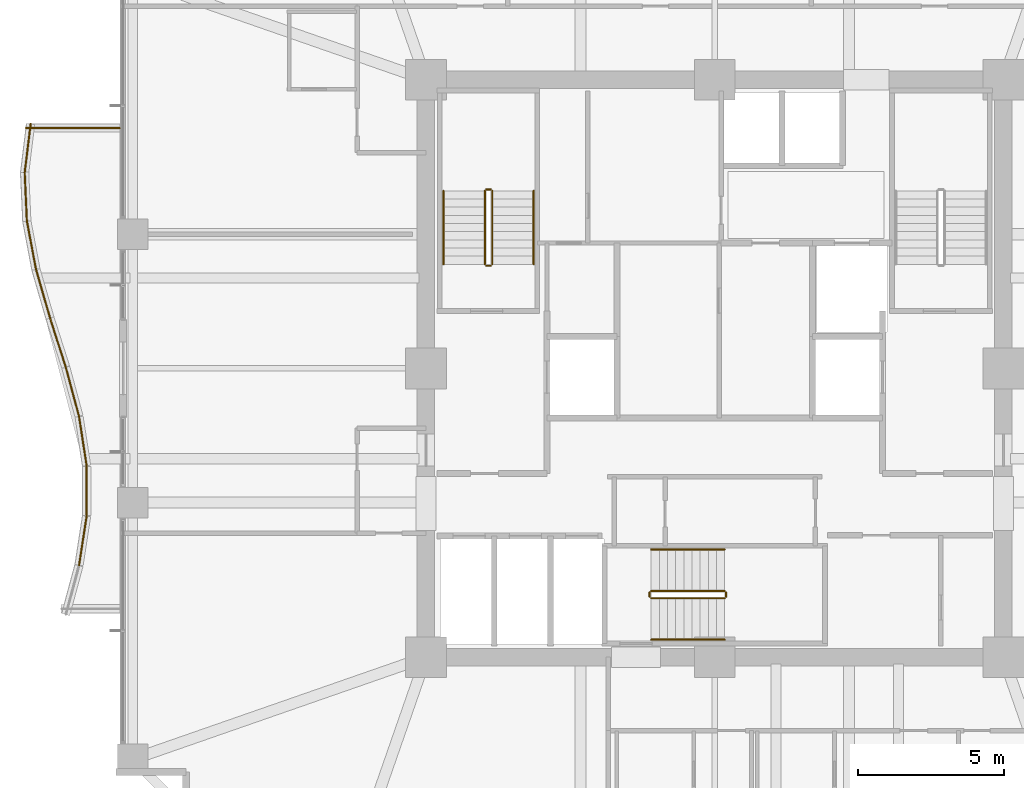
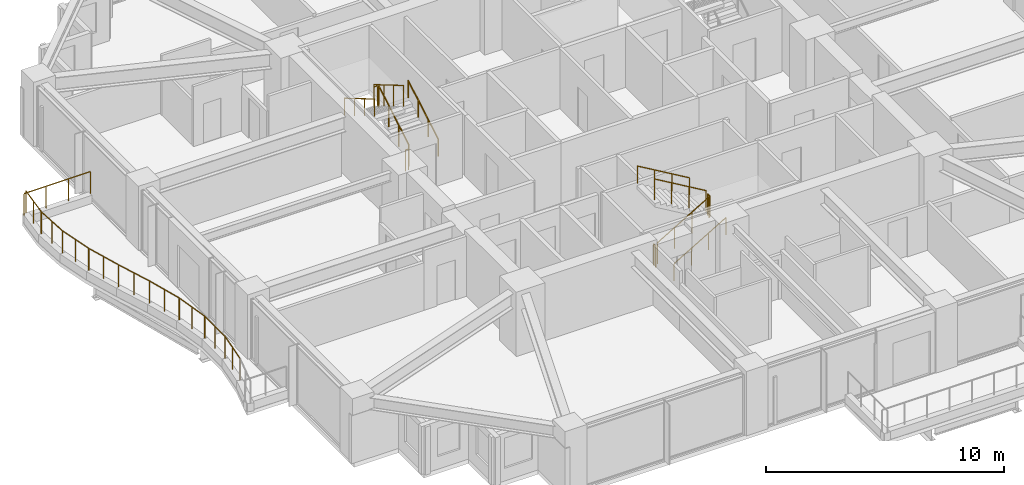
# One storey, part 37 of 38: 22 railings.
"""IFC4 building model written with IfcOpenShell, lengths in metres."""

from ifc_helpers import new_model, si_unit, direction, frame, origin, origin_2d, place, context, subcontext, project, spatial, circle, extrude, material, type_object, element, save


model = new_model("IFC4")

# Units and contexts
model_context = context("Model", 3, precision=1e-05, world=origin(), true_north=direction((0.0, 1.0)))
body_context = subcontext(model_context, "Body", "Model", "MODEL_VIEW")
ifc_project = project(units=[si_unit("LENGTHUNIT", "METRE"), si_unit("AREAUNIT", "SQUARE_METRE"), si_unit("VOLUMEUNIT", "CUBIC_METRE"), si_unit("PLANEANGLEUNIT", "RADIAN"), si_unit("MASSUNIT", "GRAM", prefix="KILO")], contexts=[model_context])

# Site, building, storey
site_placement = place(None, origin())
site = spatial("IfcSite", under=ifc_project, at=site_placement, CompositionType="ELEMENT")
building_placement = place(site_placement, origin())
building = spatial("IfcBuilding", under=site, at=building_placement, Name="Kolvaren Belvedere", CompositionType="ELEMENT")
storey_placement = place(building_placement, frame((0.0, 0.0, 101.89990234375)))
storey = spatial("IfcBuildingStorey", under=building, at=storey_placement, Name="L29", CompositionType="ELEMENT", Elevation=101.89990234375)

# Railings
ifc_material_1 = material(Name="Anodised pale-metal aluminium & laminated glass guard", Category="aluminium")
railing_type_1 = type_object("IfcRailingType", Name="RL-GUARD-1150", PredefinedType="GUARDRAIL", material=ifc_material_1)
railing_1_placement = place(storey_placement, frame((-23.454833984375, 8.380615234375, 0.380126953125)))
element("IfcRailing", 1, at=railing_1_placement, inside=storey, type_object=railing_type_1, Name="L29 Exterior Deck Safety Guard BAL-W-1", PredefinedType="GUARDRAIL", context=body_context, shape_type="SweptSolid", body=[
    extrude(circle(Radius=0.02392578125, at=origin_2d()), frame((0.0, 0.0, 1.1259765625), z_axis=(-0.121868867697, -0.992546210051, 0.0), x_axis=(0.992546210051, -0.121868867697, 0.0)), (0.0, 0.0, 1.0), 1.69287109375),
    extrude(circle(Radius=0.02099609375, at=origin_2d()), origin(), (0.0, 0.0, 1.0), 1.101806640625),
    extrude(circle(Radius=0.02099609375, at=origin_2d()), frame((-0.10302734375, -0.840087890625, 0.0)), (0.0, 0.0, 1.0), 1.101806640625),
    extrude(circle(Radius=0.02099609375, at=origin_2d()), frame((-0.206298828125, -1.68017578125, 0.0)), (0.0, 0.0, 1.0), 1.101806640625),
])
railing_2_placement = place(storey_placement, frame((-23.66015625, 6.727294921875, 0.380126953125)))
element("IfcRailing", 2, at=railing_2_placement, inside=storey, type_object=railing_type_1, Name="L29 Exterior Deck Safety Guard BAL-W-2", PredefinedType="GUARDRAIL", context=body_context, shape_type="SweptSolid", body=[
    extrude(circle(Radius=0.02392578125, at=origin_2d()), frame((0.0, 0.0, 1.1259765625), z_axis=(0.044999415011, -0.998987013253, 0.0), x_axis=(0.998987013253, 0.044999415011, 0.0)), (0.0, 0.0, 1.0), 1.681884765625),
    extrude(circle(Radius=0.02099609375, at=origin_2d()), origin(), (0.0, 0.0, 1.0), 1.101806640625),
    extrude(circle(Radius=0.02099609375, at=origin_2d()), frame((0.037841796875, -0.840087890625, 0.0)), (0.0, 0.0, 1.0), 1.101806640625),
    extrude(circle(Radius=0.02099609375, at=origin_2d()), frame((0.07568359375, -1.68017578125, 0.0)), (0.0, 0.0, 1.0), 1.101806640625),
])
railing_3_placement = place(storey_placement, frame((-23.5869140625, 5.069580078125, 0.380126953125)))
element("IfcRailing", 3, at=railing_3_placement, inside=storey, type_object=railing_type_1, Name="L29 Exterior Deck Safety Guard BAL-W-3", PredefinedType="GUARDRAIL", context=body_context, shape_type="SweptSolid", body=[
    extrude(circle(Radius=0.02392578125, at=origin_2d()), frame((0.0, 0.0, 1.1259765625), z_axis=(0.18467658162, -0.982799348901, 0.0), x_axis=(0.982799348901, 0.18467658162, 0.0)), (0.0, 0.0, 1.0), 1.709228515625),
    extrude(circle(Radius=0.02099609375, at=origin_2d()), origin(), (0.0, 0.0, 1.0), 1.101806640625),
    extrude(circle(Radius=0.02099609375, at=origin_2d()), frame((0.15771484375, -0.83984375, 0.0)), (0.0, 0.0, 1.0), 1.101806640625),
    extrude(circle(Radius=0.02099609375, at=origin_2d()), frame((0.315673828125, -1.679931640625, 0.0)), (0.0, 0.0, 1.0), 1.101806640625),
])
railing_4_placement = place(storey_placement, frame((-23.274658203125, 3.404541015625, 0.380126953125)))
element("IfcRailing", 4, at=railing_4_placement, inside=storey, type_object=railing_type_1, Name="L29 Exterior Deck Safety Guard BAL-W-4", PredefinedType="GUARDRAIL", context=body_context, shape_type="SweptSolid", body=[
    extrude(circle(Radius=0.02392578125, at=origin_2d()), frame((0.0, 0.0, 1.1259765625), z_axis=(0.277817391164, -0.960633903819, 0.0), x_axis=(0.960633903819, 0.277817391164, 0.0)), (0.0, 0.0, 1.0), 1.748779296875),
    extrude(circle(Radius=0.02099609375, at=origin_2d()), origin(), (0.0, 0.0, 1.0), 1.101806640625),
    extrude(circle(Radius=0.02099609375, at=origin_2d()), frame((0.242919921875, -0.83984375, 0.0)), (0.0, 0.0, 1.0), 1.101806640625),
    extrude(circle(Radius=0.02099609375, at=origin_2d()), frame((0.48583984375, -1.679931640625, 0.0)), (0.0, 0.0, 1.0), 1.101806640625),
])
railing_5_placement = place(storey_placement, frame((-22.7900390625, 1.728515625, 0.380126953125)))
element("IfcRailing", 5, at=railing_5_placement, inside=storey, type_object=railing_type_1, Name="L29 Exterior Deck Safety Guard BAL-W-5", PredefinedType="GUARDRAIL", context=body_context, shape_type="SweptSolid", body=[
    extrude(circle(Radius=0.02392578125, at=origin_2d()), frame((0.0, 0.0, 1.1259765625), z_axis=(0.304032153573, -0.952661770826, 0.0), x_axis=(0.952661770826, 0.304032153573, 0.0)), (0.0, 0.0, 1.0), 1.763427734375),
    extrude(circle(Radius=0.02099609375, at=origin_2d()), origin(), (0.0, 0.0, 1.0), 1.101806640625),
    extrude(circle(Radius=0.02099609375, at=origin_2d()), frame((0.26806640625, -0.83984375, 0.0)), (0.0, 0.0, 1.0), 1.101806640625),
    extrude(circle(Radius=0.02099609375, at=origin_2d()), frame((0.5361328125, -1.679931640625, 0.0)), (0.0, 0.0, 1.0), 1.101806640625),
])
railing_6_placement = place(storey_placement, frame((-22.251708984375, 0.041748046875, 0.380126953125)))
element("IfcRailing", 6, at=railing_6_placement, inside=storey, type_object=railing_type_1, Name="L29 Exterior Deck Safety Guard BAL-W-6", PredefinedType="GUARDRAIL", context=body_context, shape_type="SweptSolid", body=[
    extrude(circle(Radius=0.02392578125, at=origin_2d()), frame((0.0, 0.0, 1.1259765625), z_axis=(0.260682852326, -0.965424492388, 0.0), x_axis=(0.965424492388, 0.260682852326, 0.0)), (0.0, 0.0, 1.0), 1.739990234375),
    extrude(circle(Radius=0.02099609375, at=origin_2d()), origin(), (0.0, 0.0, 1.0), 1.101806640625),
    extrude(circle(Radius=0.02099609375, at=origin_2d()), frame((0.226806640625, -0.83984375, 0.0)), (0.0, 0.0, 1.0), 1.101806640625),
    extrude(circle(Radius=0.02099609375, at=origin_2d()), frame((0.45361328125, -1.679931640625, 0.0)), (0.0, 0.0, 1.0), 1.101806640625),
])
railing_7_placement = place(storey_placement, frame((-21.794677734375, -1.655517578125, 0.380126953125)))
element("IfcRailing", 7, at=railing_7_placement, inside=storey, type_object=railing_type_1, Name="L29 Exterior Deck Safety Guard BAL-W-7", PredefinedType="GUARDRAIL", context=body_context, shape_type="SweptSolid", body=[
    extrude(circle(Radius=0.02392578125, at=origin_2d()), frame((0.0, 0.0, 1.1259765625), z_axis=(0.152229849666, -0.988345118302, 0.0), x_axis=(0.988345118302, 0.152229849666, 0.0)), (0.0, 0.0, 1.0), 1.699951171875),
    extrude(circle(Radius=0.02099609375, at=origin_2d()), origin(), (0.0, 0.0, 1.0), 1.101806640625),
    extrude(circle(Radius=0.02099609375, at=origin_2d()), frame((0.12939453125, -0.840087890625, 0.0)), (0.0, 0.0, 1.0), 1.101806640625),
    extrude(circle(Radius=0.02099609375, at=origin_2d()), frame((0.2587890625, -1.68017578125, 0.0)), (0.0, 0.0, 1.0), 1.101806640625),
])
railing_8_placement = place(storey_placement, frame((-21.533935546875, -3.360107421875, 0.380126953125)))
element("IfcRailing", 8, at=railing_8_placement, inside=storey, type_object=railing_type_1, Name="L29 Exterior Deck Safety Guard BAL-W-8", PredefinedType="GUARDRAIL", context=body_context, shape_type="SweptSolid", body=[
    extrude(circle(Radius=0.02392578125, at=origin_2d()), frame((0.0, 0.0, 1.1259765625), z_axis=(0.0, -1.0, 0.0), x_axis=(1.0, 0.0, 0.0)), (0.0, 0.0, 1.0), 1.679931640625),
    extrude(circle(Radius=0.02099609375, at=origin_2d()), origin(), (0.0, 0.0, 1.0), 1.101806640625),
    extrude(circle(Radius=0.02099609375, at=origin_2d()), frame((0.0, -0.83984375, 0.0)), (0.0, 0.0, 1.0), 1.101806640625),
    extrude(circle(Radius=0.02099609375, at=origin_2d()), frame((0.0, -1.679931640625, 0.0)), (0.0, 0.0, 1.0), 1.101806640625),
])
railing_9_placement = place(storey_placement, frame((-21.535888671875, -5.064453125, 0.380126953125)))
element("IfcRailing", 9, at=railing_9_placement, inside=storey, type_object=railing_type_1, Name="L29 Exterior Deck Safety Guard BAL-W-9", PredefinedType="GUARDRAIL", context=body_context, shape_type="SweptSolid", body=[
    extrude(circle(Radius=0.02392578125, at=origin_2d()), frame((0.0, 0.0, 1.1259765625), z_axis=(-0.152251460091, -0.988341789514, 0.0), x_axis=(0.988341789514, -0.152251460091, 0.0)), (0.0, 0.0, 1.0), 1.69970703125),
    extrude(circle(Radius=0.02099609375, at=origin_2d()), origin(), (0.0, 0.0, 1.0), 1.101806640625),
    extrude(circle(Radius=0.02099609375, at=origin_2d()), frame((-0.12939453125, -0.83984375, 0.0)), (0.0, 0.0, 1.0), 1.101806640625),
    extrude(circle(Radius=0.02099609375, at=origin_2d()), frame((-0.2587890625, -1.679931640625, 0.0)), (0.0, 0.0, 1.0), 1.101806640625),
])
railing_10_placement = place(storey_placement, frame((-20.39990234375, 8.239990234375, 0.380126953125)))
element("IfcRailing", 10, at=railing_10_placement, inside=storey, type_object=railing_type_1, Name="L29 Exterior Deck Safety Guard BAL-W-22", PredefinedType="GUARDRAIL", context=body_context, shape_type="SweptSolid", body=[
    extrude(circle(Radius=0.02392578125, at=origin_2d()), frame((0.0, 0.0, 1.1259765625), z_axis=(-1.0, 0.0, 0.0), x_axis=(0.0, -1.0, 0.0)), (0.0, 0.0, 1.0), 3.2138671875),
    extrude(circle(Radius=0.02099609375, at=origin_2d()), origin(), (0.0, 0.0, 1.0), 1.101806640625),
    extrude(circle(Radius=0.02099609375, at=origin_2d()), frame((-1.0712890625, 0.0, 0.0)), (0.0, 0.0, 1.0), 1.101806640625),
    extrude(circle(Radius=0.02099609375, at=origin_2d()), frame((-2.142578125, 0.0, 0.0)), (0.0, 0.0, 1.0), 1.101806640625),
    extrude(circle(Radius=0.02099609375, at=origin_2d()), frame((-3.2138671875, 0.0, 0.0)), (0.0, 0.0, 1.0), 1.101806640625),
])
ifc_material_2 = material(Name="Brushed stainless-steel handrail", Category="steel")
railing_type_2 = type_object("IfcRailingType", Name="RL-HANDRAIL-920", PredefinedType="HANDRAIL", material=ifc_material_2)
railing_11_placement = place(storey_placement, frame((-6.2099609375, 3.570068359375, 0.1650390625)))
element("IfcRailing", 11, at=railing_11_placement, inside=storey, type_object=railing_type_2, Name="L29 ST-1 stair handrail 1", PredefinedType="HANDRAIL", context=body_context, shape_type="SweptSolid", body=[
    extrude(circle(Radius=0.02392578125, at=origin_2d()), frame((0.0, 0.0, 0.8759765625), z_axis=(0.0, 0.86152411907, 0.507716645641), x_axis=(-1.0, 0.0, 0.0)), (0.0, 0.0, 1.0), 2.925048828125),
    extrude(circle(Radius=0.02099609375, at=origin_2d()), origin(), (0.0, 0.0, 1.0), 0.851806640625),
    extrude(circle(Radius=0.02099609375, at=origin_2d()), frame((0.0, 0.840087890625, 0.4951171875)), (0.0, 0.0, 1.0), 0.851806640625),
    extrude(circle(Radius=0.02099609375, at=origin_2d()), frame((0.0, 1.679931640625, 0.989990234375)), (0.0, 0.0, 1.0), 0.851806640625),
    extrude(circle(Radius=0.02099609375, at=origin_2d()), frame((0.0, 2.52001953125, 1.485107421875)), (0.0, 0.0, 1.0), 0.851806640625),
])
railing_12_placement = place(storey_placement, frame((-9.300048828125, 6.090087890625, 1.815185546875)))
element("IfcRailing", 12, at=railing_12_placement, inside=storey, type_object=railing_type_2, Name="L29 ST-1 stair handrail 2", PredefinedType="HANDRAIL", context=body_context, shape_type="SweptSolid", body=[
    extrude(circle(Radius=0.02392578125, at=origin_2d()), frame((0.0, 0.0, 0.8759765625), z_axis=(0.0, -0.861560626758, 0.507654692109), x_axis=(1.0, 0.0, 0.0)), (0.0, 0.0, 1.0), 2.925048828125),
    extrude(circle(Radius=0.02099609375, at=origin_2d()), origin(), (0.0, 0.0, 1.0), 0.851806640625),
    extrude(circle(Radius=0.02099609375, at=origin_2d()), frame((0.0, -0.840087890625, 0.494873046875)), (0.0, 0.0, 1.0), 0.851806640625),
    extrude(circle(Radius=0.02099609375, at=origin_2d()), frame((0.0, -1.679931640625, 0.989990234375)), (0.0, 0.0, 1.0), 0.851806640625),
    extrude(circle(Radius=0.02099609375, at=origin_2d()), frame((0.0, -2.52001953125, 1.48486328125)), (0.0, 0.0, 1.0), 0.851806640625),
])
railing_13_placement = place(storey_placement, frame((-2.179931640625, -9.300048828125, 0.1650390625)))
element("IfcRailing", 13, at=railing_13_placement, inside=storey, type_object=railing_type_2, Name="L29 ST-3 stair handrail 1", PredefinedType="HANDRAIL", context=body_context, shape_type="SweptSolid", body=[
    extrude(circle(Radius=0.02392578125, at=origin_2d()), frame((0.0, 0.0, 0.8759765625), z_axis=(0.86152411907, 0.0, 0.507716645641), x_axis=(0.0, 1.0, 0.0)), (0.0, 0.0, 1.0), 2.925048828125),
    extrude(circle(Radius=0.02099609375, at=origin_2d()), origin(), (0.0, 0.0, 1.0), 0.851806640625),
    extrude(circle(Radius=0.02099609375, at=origin_2d()), frame((0.840087890625, 0.0, 0.4951171875)), (0.0, 0.0, 1.0), 0.851806640625),
    extrude(circle(Radius=0.02099609375, at=origin_2d()), frame((1.679931640625, 0.0, 0.989990234375)), (0.0, 0.0, 1.0), 0.851806640625),
    extrude(circle(Radius=0.02099609375, at=origin_2d()), frame((2.52001953125, 0.0, 1.485107421875)), (0.0, 0.0, 1.0), 0.851806640625),
])
railing_14_placement = place(storey_placement, frame((0.340087890625, -6.2099609375, 1.815185546875)))
element("IfcRailing", 14, at=railing_14_placement, inside=storey, type_object=railing_type_2, Name="L29 ST-3 stair handrail 2", PredefinedType="HANDRAIL", context=body_context, shape_type="SweptSolid", body=[
    extrude(circle(Radius=0.02392578125, at=origin_2d()), frame((0.0, 0.0, 0.8759765625), z_axis=(-0.861560626758, 0.0, 0.507654692109), x_axis=(0.0, -1.0, 0.0)), (0.0, 0.0, 1.0), 2.925048828125),
    extrude(circle(Radius=0.02099609375, at=origin_2d()), origin(), (0.0, 0.0, 1.0), 0.851806640625),
    extrude(circle(Radius=0.02099609375, at=origin_2d()), frame((-0.840087890625, 0.0, 0.494873046875)), (0.0, 0.0, 1.0), 0.851806640625),
    extrude(circle(Radius=0.02099609375, at=origin_2d()), frame((-1.679931640625, 0.0, 0.989990234375)), (0.0, 0.0, 1.0), 0.851806640625),
    extrude(circle(Radius=0.02099609375, at=origin_2d()), frame((-2.52001953125, 0.0, 1.48486328125)), (0.0, 0.0, 1.0), 0.851806640625),
])
ifc_material_3 = material(Name="Painted tubular steel stair guard", Category="steel")
railing_type_3 = type_object("IfcRailingType", Name="RL-STGUARD-1100", PredefinedType="GUARDRAIL", material=ifc_material_3)
railing_15_placement = place(storey_placement, frame((-7.6298828125, 3.570068359375, 0.1650390625)))
element("IfcRailing", 15, at=railing_15_placement, inside=storey, type_object=railing_type_3, Name="L29 ST-1 stair guard 1", PredefinedType="GUARDRAIL", context=body_context, shape_type="SweptSolid", body=[
    extrude(circle(Radius=0.02392578125, at=origin_2d()), frame((0.0, 0.0, 1.076171875), z_axis=(0.0, 0.86152411907, 0.507716645641), x_axis=(-1.0, 0.0, 0.0)), (0.0, 0.0, 1.0), 2.925048828125),
    extrude(circle(Radius=0.02099609375, at=origin_2d()), origin(), (0.0, 0.0, 1.0), 1.052001953125),
    extrude(circle(Radius=0.02099609375, at=origin_2d()), frame((0.0, 0.840087890625, 0.4951171875)), (0.0, 0.0, 1.0), 1.052001953125),
    extrude(circle(Radius=0.02099609375, at=origin_2d()), frame((0.0, 1.679931640625, 0.989990234375)), (0.0, 0.0, 1.0), 1.052001953125),
    extrude(circle(Radius=0.02099609375, at=origin_2d()), frame((0.0, 2.52001953125, 1.485107421875)), (0.0, 0.0, 1.0), 1.052001953125),
])
railing_16_placement = place(storey_placement, frame((-7.679931640625, 6.139892578125, 1.650146484375)))
element("IfcRailing", 16, at=railing_16_placement, inside=storey, type_object=railing_type_3, Name="L29 ST-1 stair guard 2", PredefinedType="GUARDRAIL", context=body_context, shape_type="SweptSolid", body=[
    extrude(circle(Radius=0.02392578125, at=origin_2d()), frame((0.0, 0.0, 1.076171875), z_axis=(-1.0, 0.0, 0.0), x_axis=(0.0, -1.0, 0.0)), (0.0, 0.0, 1.0), 0.150146484375),
    extrude(circle(Radius=0.02099609375, at=origin_2d()), origin(), (0.0, 0.0, 1.0), 1.052001953125),
    extrude(circle(Radius=0.02099609375, at=origin_2d()), frame((-0.150146484375, 0.0, 0.0)), (0.0, 0.0, 1.0), 1.052001953125),
])
railing_17_placement = place(storey_placement, frame((-7.8798828125, 6.090087890625, 1.815185546875)))
element("IfcRailing", 17, at=railing_17_placement, inside=storey, type_object=railing_type_3, Name="L29 ST-1 stair guard 3", PredefinedType="GUARDRAIL", context=body_context, shape_type="SweptSolid", body=[
    extrude(circle(Radius=0.02392578125, at=origin_2d()), frame((0.0, 0.0, 1.076171875), z_axis=(0.0, -0.861560626758, 0.507654692109), x_axis=(1.0, 0.0, 0.0)), (0.0, 0.0, 1.0), 2.925048828125),
    extrude(circle(Radius=0.02099609375, at=origin_2d()), origin(), (0.0, 0.0, 1.0), 1.052001953125),
    extrude(circle(Radius=0.02099609375, at=origin_2d()), frame((0.0, -0.840087890625, 0.494873046875)), (0.0, 0.0, 1.0), 1.052001953125),
    extrude(circle(Radius=0.02099609375, at=origin_2d()), frame((0.0, -1.679931640625, 0.989990234375)), (0.0, 0.0, 1.0), 1.052001953125),
    extrude(circle(Radius=0.02099609375, at=origin_2d()), frame((0.0, -2.52001953125, 1.48486328125)), (0.0, 0.0, 1.0), 1.052001953125),
])
railing_18_placement = place(storey_placement, frame((-7.679931640625, 3.52001953125, 0.0)))
element("IfcRailing", 18, at=railing_18_placement, inside=storey, type_object=railing_type_3, Name="L29 ST-1 stair guard 4", PredefinedType="GUARDRAIL", context=body_context, shape_type="SweptSolid", body=[
    extrude(circle(Radius=0.02392578125, at=origin_2d()), frame((0.0, 0.0, 1.076171875), z_axis=(-1.0, 0.0, 0.0), x_axis=(0.0, -1.0, 0.0)), (0.0, 0.0, 1.0), 0.150146484375),
    extrude(circle(Radius=0.02099609375, at=origin_2d()), origin(), (0.0, 0.0, 1.0), 1.052001953125),
    extrude(circle(Radius=0.02099609375, at=origin_2d()), frame((-0.150146484375, 0.0, 0.0)), (0.0, 0.0, 1.0), 1.052001953125),
])
railing_19_placement = place(storey_placement, frame((-2.179931640625, -7.8798828125, 0.1650390625)))
element("IfcRailing", 19, at=railing_19_placement, inside=storey, type_object=railing_type_3, Name="L29 ST-3 stair guard 1", PredefinedType="GUARDRAIL", context=body_context, shape_type="SweptSolid", body=[
    extrude(circle(Radius=0.02392578125, at=origin_2d()), frame((0.0, 0.0, 1.076171875), z_axis=(0.86152411907, 0.0, 0.507716645641), x_axis=(0.0, 1.0, 0.0)), (0.0, 0.0, 1.0), 2.925048828125),
    extrude(circle(Radius=0.02099609375, at=origin_2d()), origin(), (0.0, 0.0, 1.0), 1.052001953125),
    extrude(circle(Radius=0.02099609375, at=origin_2d()), frame((0.840087890625, 0.0, 0.4951171875)), (0.0, 0.0, 1.0), 1.052001953125),
    extrude(circle(Radius=0.02099609375, at=origin_2d()), frame((1.679931640625, 0.0, 0.989990234375)), (0.0, 0.0, 1.0), 1.052001953125),
    extrude(circle(Radius=0.02099609375, at=origin_2d()), frame((2.52001953125, 0.0, 1.485107421875)), (0.0, 0.0, 1.0), 1.052001953125),
])
railing_20_placement = place(storey_placement, frame((0.389892578125, -7.830078125, 1.650146484375)))
element("IfcRailing", 20, at=railing_20_placement, inside=storey, type_object=railing_type_3, Name="L29 ST-3 stair guard 2", PredefinedType="GUARDRAIL", context=body_context, shape_type="SweptSolid", body=[
    extrude(circle(Radius=0.02392578125, at=origin_2d()), frame((0.0, 0.0, 1.076171875), z_axis=(0.0, 1.0, 0.0), x_axis=(-1.0, 0.0, 0.0)), (0.0, 0.0, 1.0), 0.150146484375),
    extrude(circle(Radius=0.02099609375, at=origin_2d()), origin(), (0.0, 0.0, 1.0), 1.052001953125),
    extrude(circle(Radius=0.02099609375, at=origin_2d()), frame((0.0, 0.150146484375, 0.0)), (0.0, 0.0, 1.0), 1.052001953125),
])
railing_21_placement = place(storey_placement, frame((0.340087890625, -7.6298828125, 1.815185546875)))
element("IfcRailing", 21, at=railing_21_placement, inside=storey, type_object=railing_type_3, Name="L29 ST-3 stair guard 3", PredefinedType="GUARDRAIL", context=body_context, shape_type="SweptSolid", body=[
    extrude(circle(Radius=0.02392578125, at=origin_2d()), frame((0.0, 0.0, 1.076171875), z_axis=(-0.861560626758, 0.0, 0.507654692109), x_axis=(0.0, -1.0, 0.0)), (0.0, 0.0, 1.0), 2.925048828125),
    extrude(circle(Radius=0.02099609375, at=origin_2d()), origin(), (0.0, 0.0, 1.0), 1.052001953125),
    extrude(circle(Radius=0.02099609375, at=origin_2d()), frame((-0.840087890625, 0.0, 0.494873046875)), (0.0, 0.0, 1.0), 1.052001953125),
    extrude(circle(Radius=0.02099609375, at=origin_2d()), frame((-1.679931640625, 0.0, 0.989990234375)), (0.0, 0.0, 1.0), 1.052001953125),
    extrude(circle(Radius=0.02099609375, at=origin_2d()), frame((-2.52001953125, 0.0, 1.48486328125)), (0.0, 0.0, 1.0), 1.052001953125),
])
railing_22_placement = place(storey_placement, frame((-2.22998046875, -7.830078125, 0.0)))
element("IfcRailing", 22, at=railing_22_placement, inside=storey, type_object=railing_type_3, Name="L29 ST-3 stair guard 4", PredefinedType="GUARDRAIL", context=body_context, shape_type="SweptSolid", body=[
    extrude(circle(Radius=0.02392578125, at=origin_2d()), frame((0.0, 0.0, 1.076171875), z_axis=(0.0, 1.0, 0.0), x_axis=(-1.0, 0.0, 0.0)), (0.0, 0.0, 1.0), 0.150146484375),
    extrude(circle(Radius=0.02099609375, at=origin_2d()), origin(), (0.0, 0.0, 1.0), 1.052001953125),
    extrude(circle(Radius=0.02099609375, at=origin_2d()), frame((0.0, 0.150146484375, 0.0)), (0.0, 0.0, 1.0), 1.052001953125),
])

save(model, "model.ifc")
